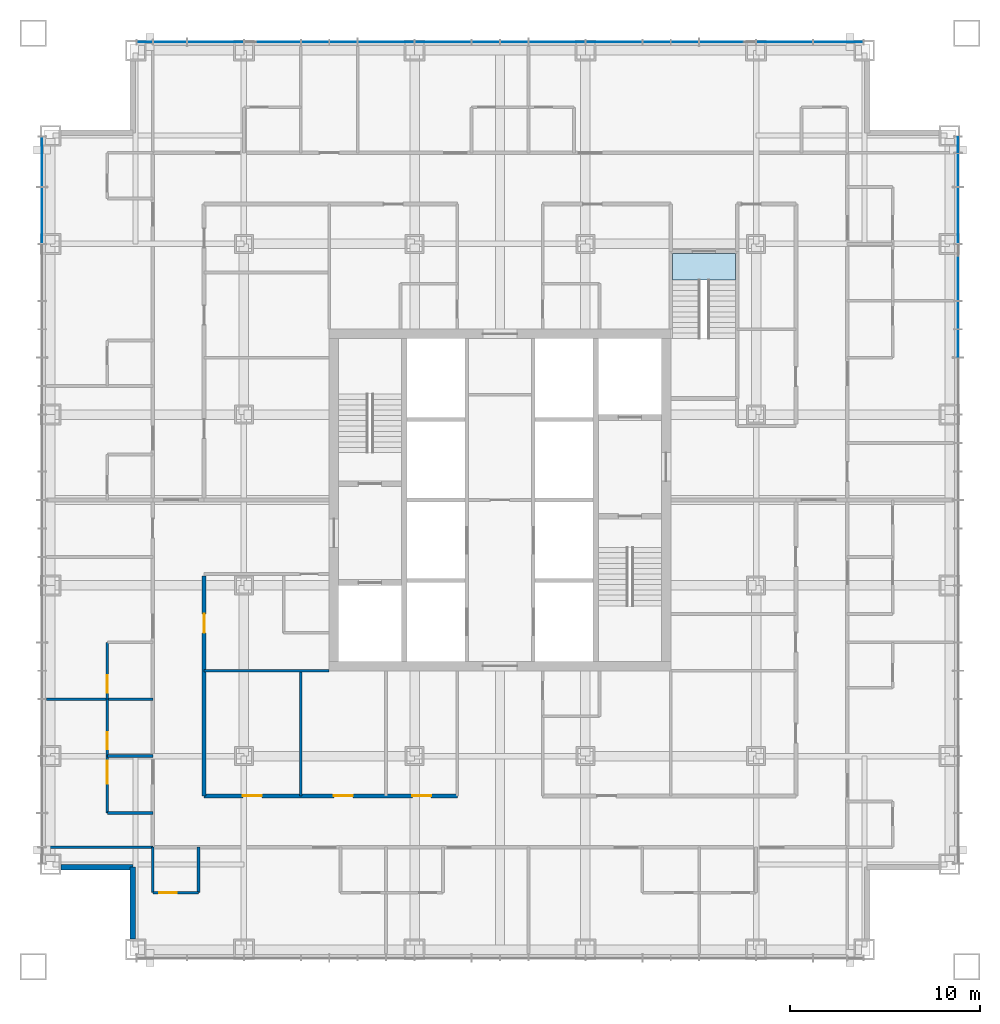
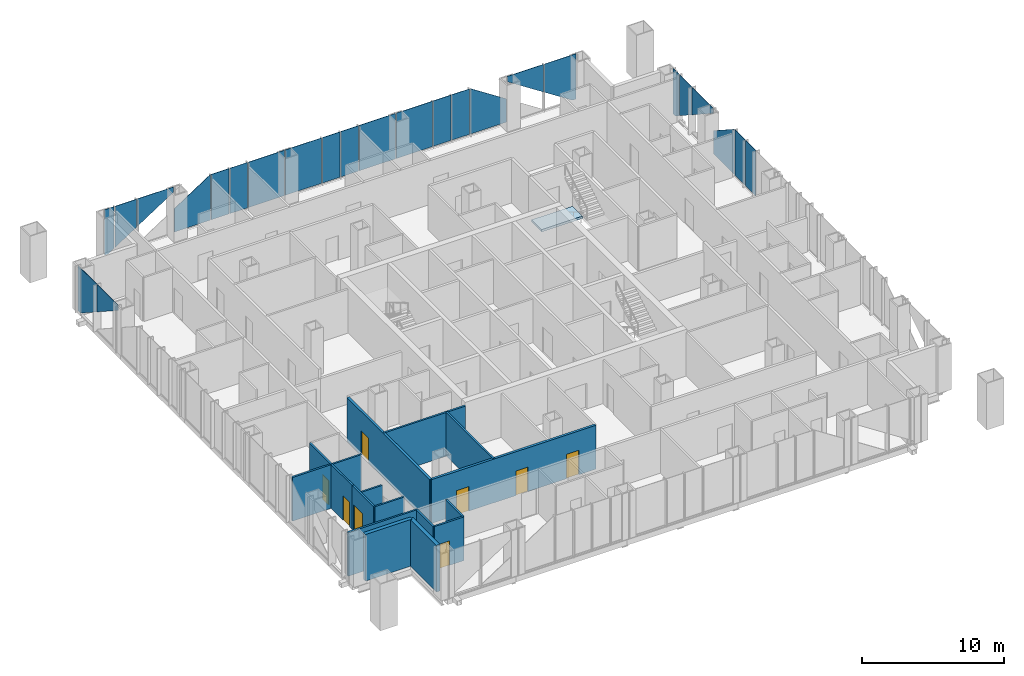
# One storey, part 8 of 16: 25 plates, 16 walls, 8 doors, 1 slab, 8 openings, 4 elements without a shape of their own.
"""IFC4 building model written with IfcOpenShell, lengths in metres."""

import ifcopenshell
import ifcopenshell.guid

model = None  # the IFC model being written
_history = None  # IfcOwnerHistory: only IFC2X3 demands one
_inside = {}  # id of a spatial element -> (the spatial element, [elements in it])
_under = {}  # id of a project, library or spatial element -> (it, [spatial elements below it])
_declared = {}  # id of a project -> (the project, [libraries it declares])
_typed = {}  # id of a type object -> (the type object, [elements of that type])
_made_of = {}  # id of a material, layer set ... -> (it, [elements and type objects made of it])


def new_model(schema):
    """Start an empty IFC model of exactly this schema.

    Asked for "IFC4X3", IfcOpenShell would pick the latest addendum, in which some entities
    have other attributes; the version numbers below select the first issue.
    IFC2X3 requires an IfcOwnerHistory on every rooted entity: one is made here for all.
    """
    global model, _history
    if schema == "IFC4X3":
        model = ifcopenshell.file(schema_version=(4, 3, 0, 0))
    else:
        model = ifcopenshell.file(schema=schema)
    _inside.clear()
    _under.clear()
    _declared.clear()
    _typed.clear()
    _made_of.clear()
    _history = None
    if model.schema == "IFC2X3":
        org = make("IfcOrganization", Name="unknown")
        user = make(
            "IfcPersonAndOrganization",
            ThePerson=make("IfcPerson", FamilyName="unknown"),
            TheOrganization=org,
        )
        app = make(
            "IfcApplication",
            ApplicationDeveloper=org,
            Version="unknown",
            ApplicationFullName="unknown",
            ApplicationIdentifier="unknown",
        )
        _history = make(
            "IfcOwnerHistory",
            OwningUser=user,
            OwningApplication=app,
            ChangeAction="ADDED",
            CreationDate=0,
        )
    return model


def make(cls, **values):
    """One entity of the class cls with the attributes given. An attribute that is None is left unset."""
    return model.create_entity(
        cls, **{name: value for name, value in values.items() if value is not None}
    )


def rooted(cls, **values):
    """An entity with a GlobalId (a new one), such as an element, a storey or a relation."""
    return make(cls, GlobalId=ifcopenshell.guid.new(), OwnerHistory=_history, **values)


def si_unit(unit_type, name, prefix=None):
    """IfcSIUnit, for example si_unit("LENGTHUNIT", "METRE", prefix="MILLI")."""
    return make("IfcSIUnit", UnitType=unit_type, Prefix=prefix, Name=name)


def assignment(units):
    """IfcUnitAssignment: the units of a project."""
    return None if units is None else make("IfcUnitAssignment", Units=units)


def point(xyz):
    """IfcCartesianPoint."""
    return None if xyz is None else make("IfcCartesianPoint", Coordinates=xyz)


def direction(xyz):
    """IfcDirection."""
    return None if xyz is None else make("IfcDirection", DirectionRatios=xyz)


def frame(location, z_axis=None, x_axis=None):
    """IfcAxis2Placement3D, a coordinate frame: its origin and axes. An axis left out is left unset."""
    return make(
        "IfcAxis2Placement3D",
        Location=point(location),
        Axis=direction(z_axis),
        RefDirection=direction(x_axis),
    )


def frame_2d(location, x_axis=None):
    """IfcAxis2Placement2D, a coordinate frame in the plane: its origin and x axis."""
    return make(
        "IfcAxis2Placement2D", Location=point(location), RefDirection=direction(x_axis)
    )


def origin():
    """The frame at (0, 0, 0) with its axes left unset."""
    return frame((0.0, 0.0, 0.0))


def origin_2d():
    """The frame at (0, 0) in the plane with its x axis left unset."""
    return frame_2d((0.0, 0.0))


def place(relative_to, where):
    """IfcLocalPlacement: puts the frame where relative to a parent placement (None: the world)."""
    return make(
        "IfcLocalPlacement", PlacementRelTo=relative_to, RelativePlacement=where
    )


def context(
    kind, dimensions, precision=None, world=None, true_north=None, identifier=None
):
    """IfcGeometricRepresentationContext, for example the 3D "Model" context."""
    return make(
        "IfcGeometricRepresentationContext",
        ContextIdentifier=identifier,
        ContextType=kind,
        CoordinateSpaceDimension=dimensions,
        Precision=precision,
        WorldCoordinateSystem=world,
        TrueNorth=true_north,
    )


def subcontext(parent, identifier, kind, view, scale=None):
    """IfcGeometricRepresentationSubContext, for example "Body" below "Model"."""
    return make(
        "IfcGeometricRepresentationSubContext",
        ContextIdentifier=identifier,
        ContextType=kind,
        ParentContext=parent,
        TargetScale=scale,
        TargetView=view,
    )


def project(units=None, contexts=None):
    """IfcProject with its units and contexts."""
    return rooted(
        "IfcProject",
        Name="project",
        RepresentationContexts=contexts,
        UnitsInContext=assignment(units),
    )


def spatial(cls, under=None, at=None, **own):
    """A site, building, storey or space (cls), placed at a placement, below another one or the project."""
    s = rooted(cls, ObjectPlacement=at, **own)
    if under is not None:
        _under.setdefault(under.id(), (under, []))[1].append(s)
    return s


def polyline(points):
    """IfcPolyline through the points."""
    return make("IfcPolyline", Points=[point(p) for p in points])


def profile(cls, at=None, kind="AREA", **sizes):
    """A parametric profile (cls). Its sizes go by their IFC names, for example OverallWidth=200.0."""
    return make(cls, ProfileType=kind, Position=at, **sizes)


def rectangle(**sizes):
    """IfcRectangleProfileDef."""
    return profile("IfcRectangleProfileDef", **sizes)


def outline(outer, holes=None, kind="AREA"):
    """IfcArbitraryClosedProfileDef: a profile drawn as a closed curve; with holes, ...WithVoids."""
    if holes is None:
        return make("IfcArbitraryClosedProfileDef", ProfileType=kind, OuterCurve=outer)
    return make(
        "IfcArbitraryProfileDefWithVoids",
        ProfileType=kind,
        OuterCurve=outer,
        InnerCurves=holes,
    )


def extrude(swept, where, along, depth):
    """IfcExtrudedAreaSolid: the profile swept, set in the frame where, extruded along a direction by depth."""
    return make(
        "IfcExtrudedAreaSolid",
        SweptArea=swept,
        Position=where,
        ExtrudedDirection=direction(along),
        Depth=depth,
    )


def shape(context_of_items, identifier, shape_type, items):
    """IfcShapeRepresentation: the items that make up one representation, for example the "Body"."""
    return make(
        "IfcShapeRepresentation",
        ContextOfItems=context_of_items,
        RepresentationIdentifier=identifier,
        RepresentationType=shape_type,
        Items=items,
    )


def material(Name=None, Category=None):
    """IfcMaterial."""
    return make("IfcMaterial", Name=Name, Category=Category)


def layer(
    of_material, thickness, ventilated=None, Name=None, Category=None, Priority=None
):
    """IfcMaterialLayer: one layer of a wall or slab, of a material (None: an air gap)."""
    return make(
        "IfcMaterialLayer",
        Material=of_material,
        LayerThickness=thickness,
        IsVentilated=ventilated,
        Name=Name,
        Category=Category,
        Priority=Priority,
    )


def layer_set(layers, Name=None):
    """IfcMaterialLayerSet."""
    return make("IfcMaterialLayerSet", MaterialLayers=layers, LayerSetName=Name)


def made_of(thing, what):
    """Note that an element or type object is made of a material, layer set ...; save() writes the relation."""
    if what is not None:
        _made_of.setdefault(what.id(), (what, []))[1].append(thing)
    return thing


def type_object(cls, material=None, **own):
    """A type object (cls), such as IfcWallType, which elements share."""
    return made_of(rooted(cls, **own), material)


def element(
    cls,
    number,
    at=None,
    inside=None,
    cuts=None,
    type_object=None,
    material=None,
    context=None,
    identifier="Body",
    shape_type=None,
    held_by="IfcProductDefinitionShape",
    body=None,
    shapes=None,
    **own,
):
    """One element of the class cls, such as IfcWall. Its Tag is "e" and its number.

    at: its placement. inside: the storey or other place that contains it. cuts: it is an
    opening in that element (IfcRelVoidsElement). A single representation is given by context,
    identifier, shape_type and body (its items); several are given by shapes. held_by: the class
    of the entity that holds the representations. save() writes the other relations.
    """
    e = rooted(cls, Tag="e%d" % number, ObjectPlacement=at, **own)
    if body is not None:
        shapes = [shape(context, identifier, shape_type, body)]
    if shapes is not None:
        e.Representation = make(held_by, Representations=shapes)
    if inside is not None:
        _inside.setdefault(inside.id(), (inside, []))[1].append(e)
    if cuts is not None:
        rooted(
            "IfcRelVoidsElement", RelatingBuildingElement=cuts, RelatedOpeningElement=e
        )
    if type_object is not None:
        _typed.setdefault(type_object.id(), (type_object, []))[1].append(e)
    return made_of(e, material)


def fill(opening, filler):
    """IfcRelFillsElement: the door or window that sits in an opening."""
    return rooted(
        "IfcRelFillsElement",
        RelatingOpeningElement=opening,
        RelatedBuildingElement=filler,
    )


def aggregate(whole, parts):
    """IfcRelAggregates: a whole, such as a stair, and the parts it consists of."""
    return rooted("IfcRelAggregates", RelatingObject=whole, RelatedObjects=parts)


def save(model, path):
    """Write the relations noted so far, then the file.

    IfcRelAggregates (storeys below a building ...), IfcRelContainedInSpatialStructure (elements
    in a storey), IfcRelDefinesByType, IfcRelAssociatesMaterial and IfcRelDeclares: one each for
    every whole, place, type object, material and project.
    """
    for whole, parts in _under.values():
        aggregate(whole, parts)
    for where, things in _inside.values():
        rooted(
            "IfcRelContainedInSpatialStructure",
            RelatedElements=things,
            RelatingStructure=where,
        )
    for kind, things in _typed.values():
        rooted("IfcRelDefinesByType", RelatedObjects=things, RelatingType=kind)
    for what, things in _made_of.values():
        rooted("IfcRelAssociatesMaterial", RelatedObjects=things, RelatingMaterial=what)
    for by, libraries in _declared.values():
        rooted("IfcRelDeclares", RelatingContext=by, RelatedDefinitions=libraries)
    model.write(path)


model = new_model("IFC4")

# Units and contexts
model_context = context("Model", 3, precision=1e-05, world=origin(), true_north=direction((0.0, 1.0)))
body_context = subcontext(model_context, "Body", "Model", "MODEL_VIEW")
ifc_project = project(units=[si_unit("LENGTHUNIT", "METRE"), si_unit("AREAUNIT", "SQUARE_METRE"), si_unit("VOLUMEUNIT", "CUBIC_METRE"), si_unit("PLANEANGLEUNIT", "RADIAN"), si_unit("MASSUNIT", "GRAM", prefix="KILO")], contexts=[model_context])

# Site, building, storey
site_placement = place(None, origin())
site = spatial("IfcSite", under=ifc_project, at=site_placement, CompositionType="ELEMENT")
building_placement = place(site_placement, origin())
building = spatial("IfcBuilding", under=site, at=building_placement, Name="Malebo Sky Hospital", CompositionType="ELEMENT")
storey_placement = place(building_placement, frame((0.0, 0.0, 144.0)))
storey = spatial("IfcBuildingStorey", under=building, at=storey_placement, Name="L34", CompositionType="ELEMENT", Elevation=144.0)

# Stair, slab
ifc_material_1 = material(Name="Concrete C40/50", Category="concrete")
stair_type = type_object("IfcStairType", Name="HALF-TURN STAIR 1400 R167", PredefinedType="HALF_TURN_STAIR", material=ifc_material_1)
stair_placement = place(storey_placement, origin())
stair = element("IfcStair", 1, at=stair_placement, inside=storey, type_object=stair_type, Name="Stair S3 L34 type ST1B", PredefinedType="HALF_TURN_STAIR")
ifc_layer_1 = layer(ifc_material_1, 0.199951171875)
ifc_layer_set_1 = layer_set([ifc_layer_1], Name="STAIR LANDING 200")
slab_type = type_object("IfcSlabType", Name="STAIR LANDING 200", PredefinedType="LANDING", material=ifc_layer_set_1)
slab_placement = place(storey_placement, frame((0.0, 0.0, -0.199951171875)))
slab = element("IfcSlab", 2, at=slab_placement, type_object=slab_type, Name="S3 landing 1", PredefinedType="LANDING", context=body_context, shape_type="SweptSolid", body=[
    extrude(outline(polyline([(69.10009765625, 73.60009765625), (72.39990234375, 73.60009765625), (72.39990234375, 75.0), (69.10009765625, 75.0), (69.10009765625, 73.60009765625)])), origin(), (0.0, 0.0, 1.0), 0.199951171875),
])
aggregate(stair, [slab])

# Curtain wall, plates
ifc_material_2 = material(Name="Anodised aluminium, natural silver", Category="aluminium")
ifc_layer_2 = layer(ifc_material_2, 0.25)
ifc_layer_set_2 = layer_set([ifc_layer_2], Name="WARD CURTAIN WALL NORTH AND SOUTH")
curtain_wall_type_1 = type_object("IfcCurtainWallType", Name="WARD CURTAIN WALL NORTH AND SOUTH", PredefinedType="NOTDEFINED", material=ifc_layer_set_2)
curtain_wall_1_placement = place(storey_placement, origin())
curtain_wall_1 = element("IfcCurtainWall", 3, at=curtain_wall_1_placement, inside=storey, type_object=curtain_wall_type_1, Name="NS curtain wall N", PredefinedType="NOTDEFINED")
ifc_material_3 = material(Name="Clear low-iron double glazing", Category="glass")
ifc_layer_3 = layer(ifc_material_3, 0.031982421875)
ifc_layer_set_3 = layer_set([ifc_layer_3], Name="VISION PANEL CLEAR 32")
plate_type = type_object("IfcPlateType", Name="VISION PANEL CLEAR 32", PredefinedType="CURTAIN_PANEL", material=ifc_layer_set_3)
plate_1_placement = place(storey_placement, frame((41.268798828125, 86.135009765625, 0.10009765625), z_axis=(0.0, 0.0, 1.0), x_axis=(1.0, 0.0, 0.0)))
plate_1 = element("IfcPlate", 4, at=plate_1_placement, type_object=plate_type, Name="Panel 1", PredefinedType="CURTAIN_PANEL", context=body_context, shape_type="SweptSolid", body=[
    extrude(outline(polyline([(-0.393798828125, 0.0), (-0.097412109375, 0.0), (0.393798828125, 0.319580078125), (0.393798828125, 3.889892578125), (-0.393798828125, 3.889892578125), (-0.393798828125, 0.0)])), frame((0.0, 0.01611328125, 0.0), z_axis=(0.0, -1.0, 0.0), x_axis=(1.0, 0.0, 0.0)), (0.0, 0.0, 1.0), 0.031982421875),
])
plate_2_placement = place(storey_placement, frame((42.60009765625, 86.135009765625, 0.46826171875), z_axis=(0.0, 0.0, 1.0), x_axis=(1.0, 0.0, 0.0)))
plate_2 = element("IfcPlate", 5, at=plate_2_placement, type_object=plate_type, Name="Panel 2", PredefinedType="CURTAIN_PANEL", context=body_context, shape_type="SweptSolid", body=[
    extrude(outline(polyline([(-0.862548828125, 0.0), (0.862548828125, 1.121826171875), (0.862548828125, 3.521728515625), (-0.862548828125, 3.521728515625), (-0.862548828125, 0.0)])), frame((0.0, 0.01611328125, 0.0), z_axis=(0.0, -1.0, 0.0), x_axis=(1.0, 0.0, 0.0)), (0.0, 0.0, 1.0), 0.031982421875),
])
plate_3_placement = place(storey_placement, frame((45.0, 86.135009765625, 1.638916015625), z_axis=(0.0, 0.0, 1.0), x_axis=(1.0, 0.0, 0.0)))
plate_3 = element("IfcPlate", 6, at=plate_3_placement, type_object=plate_type, Name="Panel 3", PredefinedType="CURTAIN_PANEL", context=body_context, shape_type="SweptSolid", body=[
    extrude(outline(polyline([(-1.46240234375, 0.0), (1.46240234375, 1.90234375), (1.46240234375, 2.35107421875), (-1.46240234375, 2.35107421875), (-1.46240234375, 0.0)])), frame((0.0, 0.01611328125, 0.0), z_axis=(0.0, -1.0, 0.0), x_axis=(1.0, 0.0, 0.0)), (0.0, 0.0, 1.0), 0.031982421875),
])
plate_4_placement = place(storey_placement, frame((48.0, 86.135009765625, 0.10009765625), z_axis=(0.0, 0.0, 1.0), x_axis=(1.0, 0.0, 0.0)))
plate_4 = element("IfcPlate", 7, at=plate_4_placement, type_object=plate_type, Name="Panel 4", PredefinedType="CURTAIN_PANEL", context=body_context, shape_type="SweptSolid", body=[
    extrude(outline(polyline([(-1.46240234375, 0.0), (1.46240234375, 0.0), (1.46240234375, 3.889892578125), (1.44677734375, 3.889892578125), (-1.46240234375, 1.997802734375), (-1.46240234375, 0.0)])), frame((0.0, 0.01611328125, 0.0), z_axis=(0.0, -1.0, 0.0), x_axis=(1.0, 0.0, 0.0)), (0.0, 0.0, 1.0), 0.031982421875),
])
plate_5_placement = place(storey_placement, frame((50.25, 86.135009765625, 0.10009765625), z_axis=(0.0, 0.0, 1.0), x_axis=(1.0, 0.0, 0.0)))
plate_5 = element("IfcPlate", 8, at=plate_5_placement, type_object=plate_type, Name="Panel 5", PredefinedType="CURTAIN_PANEL", context=body_context, shape_type="SweptSolid", body=[
    extrude(rectangle(XDim=1.425048828125, YDim=0.031982421875, at=origin_2d()), origin(), (0.0, 0.0, 1.0), 3.889892578125),
])
plate_6_placement = place(storey_placement, frame((51.75, 86.135009765625, 0.10009765625), z_axis=(0.0, 0.0, 1.0), x_axis=(1.0, 0.0, 0.0)))
plate_6 = element("IfcPlate", 9, at=plate_6_placement, type_object=plate_type, Name="Panel 6", PredefinedType="CURTAIN_PANEL", context=body_context, shape_type="SweptSolid", body=[
    extrude(rectangle(XDim=1.425048828125, YDim=0.031982421875, at=origin_2d()), origin(), (0.0, 0.0, 1.0), 3.889892578125),
])
plate_7_placement = place(storey_placement, frame((54.0, 86.135009765625, 0.10009765625), z_axis=(0.0, 0.0, 1.0), x_axis=(1.0, 0.0, 0.0)))
plate_7 = element("IfcPlate", 10, at=plate_7_placement, type_object=plate_type, Name="Panel 7", PredefinedType="CURTAIN_PANEL", context=body_context, shape_type="SweptSolid", body=[
    extrude(rectangle(XDim=2.925048828125, YDim=0.031982421875, at=origin_2d()), origin(), (0.0, 0.0, 1.0), 3.889892578125),
])
plate_8_placement = place(storey_placement, frame((57.0, 86.135009765625, 0.10009765625), z_axis=(0.0, 0.0, 1.0), x_axis=(1.0, 0.0, 0.0)))
plate_8 = element("IfcPlate", 11, at=plate_8_placement, type_object=plate_type, Name="Panel 8", PredefinedType="CURTAIN_PANEL", context=body_context, shape_type="SweptSolid", body=[
    extrude(rectangle(XDim=2.925048828125, YDim=0.031982421875, at=origin_2d()), origin(), (0.0, 0.0, 1.0), 3.889892578125),
])
plate_9_placement = place(storey_placement, frame((59.25, 86.135009765625, 0.10009765625), z_axis=(0.0, 0.0, 1.0), x_axis=(1.0, 0.0, 0.0)))
plate_9 = element("IfcPlate", 12, at=plate_9_placement, type_object=plate_type, Name="Panel 9", PredefinedType="CURTAIN_PANEL", context=body_context, shape_type="SweptSolid", body=[
    extrude(rectangle(XDim=1.425048828125, YDim=0.031982421875, at=origin_2d()), origin(), (0.0, 0.0, 1.0), 3.889892578125),
])
plate_10_placement = place(storey_placement, frame((60.75, 86.135009765625, 0.10009765625), z_axis=(0.0, 0.0, 1.0), x_axis=(1.0, 0.0, 0.0)))
plate_10 = element("IfcPlate", 13, at=plate_10_placement, type_object=plate_type, Name="Panel 10", PredefinedType="CURTAIN_PANEL", context=body_context, shape_type="SweptSolid", body=[
    extrude(rectangle(XDim=1.425048828125, YDim=0.031982421875, at=origin_2d()), origin(), (0.0, 0.0, 1.0), 3.889892578125),
])
plate_11_placement = place(storey_placement, frame((63.0, 86.135009765625, 0.10009765625), z_axis=(0.0, 0.0, 1.0), x_axis=(1.0, 0.0, 0.0)))
plate_11 = element("IfcPlate", 14, at=plate_11_placement, type_object=plate_type, Name="Panel 11", PredefinedType="CURTAIN_PANEL", context=body_context, shape_type="SweptSolid", body=[
    extrude(rectangle(XDim=2.925048828125, YDim=0.031982421875, at=origin_2d()), origin(), (0.0, 0.0, 1.0), 3.889892578125),
])
plate_12_placement = place(storey_placement, frame((66.0, 86.135009765625, 0.10009765625), z_axis=(0.0, 0.0, 1.0), x_axis=(1.0, 0.0, 0.0)))
plate_12 = element("IfcPlate", 15, at=plate_12_placement, type_object=plate_type, Name="Panel 12", PredefinedType="CURTAIN_PANEL", context=body_context, shape_type="SweptSolid", body=[
    extrude(rectangle(XDim=2.925048828125, YDim=0.031982421875, at=origin_2d()), origin(), (0.0, 0.0, 1.0), 3.889892578125),
])
plate_13_placement = place(storey_placement, frame((68.25, 86.135009765625, 0.10009765625), z_axis=(0.0, 0.0, 1.0), x_axis=(1.0, 0.0, 0.0)))
plate_13 = element("IfcPlate", 16, at=plate_13_placement, type_object=plate_type, Name="Panel 13", PredefinedType="CURTAIN_PANEL", context=body_context, shape_type="SweptSolid", body=[
    extrude(rectangle(XDim=1.425048828125, YDim=0.031982421875, at=origin_2d()), origin(), (0.0, 0.0, 1.0), 3.889892578125),
])
plate_14_placement = place(storey_placement, frame((69.75, 86.135009765625, 0.10009765625), z_axis=(0.0, 0.0, 1.0), x_axis=(1.0, 0.0, 0.0)))
plate_14 = element("IfcPlate", 17, at=plate_14_placement, type_object=plate_type, Name="Panel 14", PredefinedType="CURTAIN_PANEL", context=body_context, shape_type="SweptSolid", body=[
    extrude(rectangle(XDim=1.425048828125, YDim=0.031982421875, at=origin_2d()), origin(), (0.0, 0.0, 1.0), 3.889892578125),
])
plate_15_placement = place(storey_placement, frame((72.0, 86.135009765625, 0.10009765625), z_axis=(0.0, 0.0, 1.0), x_axis=(1.0, 0.0, 0.0)))
plate_15 = element("IfcPlate", 18, at=plate_15_placement, type_object=plate_type, Name="Panel 15", PredefinedType="CURTAIN_PANEL", context=body_context, shape_type="SweptSolid", body=[
    extrude(outline(polyline([(-1.46240234375, 0.0), (1.46240234375, 0.0), (1.46240234375, 1.997802734375), (-1.44677734375, 3.889892578125), (-1.46240234375, 3.889892578125), (-1.46240234375, 0.0)])), frame((0.0, 0.01611328125, 0.0), z_axis=(0.0, -1.0, 0.0), x_axis=(1.0, 0.0, 0.0)), (0.0, 0.0, 1.0), 0.031982421875),
])
plate_16_placement = place(storey_placement, frame((75.0, 86.135009765625, 1.638916015625), z_axis=(0.0, 0.0, 1.0), x_axis=(1.0, 0.0, 0.0)))
plate_16 = element("IfcPlate", 19, at=plate_16_placement, type_object=plate_type, Name="Panel 16", PredefinedType="CURTAIN_PANEL", context=body_context, shape_type="SweptSolid", body=[
    extrude(outline(polyline([(1.46240234375, 0.0), (1.46240234375, 2.35107421875), (-1.46240234375, 2.35107421875), (-1.46240234375, 1.90234375), (1.46240234375, 0.0)])), frame((0.0, 0.01611328125, 0.0), z_axis=(0.0, -1.0, 0.0), x_axis=(1.0, 0.0, 0.0)), (0.0, 0.0, 1.0), 0.031982421875),
])
plate_17_placement = place(storey_placement, frame((77.831298828125, 86.135009765625, 0.10009765625), z_axis=(0.0, 0.0, 1.0), x_axis=(1.0, 0.0, 0.0)))
plate_17 = element("IfcPlate", 20, at=plate_17_placement, type_object=plate_type, Name="Panel 17", PredefinedType="CURTAIN_PANEL", context=body_context, shape_type="SweptSolid", body=[
    extrude(outline(polyline([(0.99755859375, 0.0), (1.293701171875, 0.0), (1.293701171875, 3.889892578125), (-1.293701171875, 3.889892578125), (-1.293701171875, 1.490234375), (0.99755859375, 0.0)])), frame((0.0, 0.01611328125, 0.0), z_axis=(0.0, -1.0, 0.0), x_axis=(1.0, 0.0, 0.0)), (0.0, 0.0, 1.0), 0.031982421875),
])
aggregate(curtain_wall_1, [plate_1, plate_2, plate_3, plate_4, plate_5, plate_6, plate_7, plate_8, plate_9, plate_10, plate_11, plate_12, plate_13, plate_14, plate_15, plate_16, plate_17])

ifc_layer_4 = layer(ifc_material_2, 0.25)
ifc_layer_set_4 = layer_set([ifc_layer_4], Name="WARD CURTAIN WALL EAST AND WEST")
curtain_wall_type_2 = type_object("IfcCurtainWallType", Name="WARD CURTAIN WALL EAST AND WEST", PredefinedType="NOTDEFINED", material=ifc_layer_set_4)
curtain_wall_2_placement = place(storey_placement, origin())
curtain_wall_2 = element("IfcCurtainWall", 21, at=curtain_wall_2_placement, inside=storey, type_object=curtain_wall_type_2, Name="EW curtain wall W", PredefinedType="NOTDEFINED")
plate_18_placement = place(storey_placement, frame((35.864990234375, 77.0, 1.638916015625), z_axis=(0.0, 0.0, 1.0), x_axis=(0.0, 1.0, 0.0)))
plate_18 = element("IfcPlate", 22, at=plate_18_placement, type_object=plate_type, Name="Panel 18", PredefinedType="CURTAIN_PANEL", context=body_context, shape_type="SweptSolid", body=[
    extrude(outline(polyline([(1.46240234375, 0.0), (1.46240234375, 2.35107421875), (-1.46240234375, 2.35107421875), (-1.46240234375, 1.90234375), (1.46240234375, 0.0)])), frame((0.0, 0.01611328125, 0.0), z_axis=(0.0, -1.0, 0.0), x_axis=(1.0, 0.0, 0.0)), (0.0, 0.0, 1.0), 0.031982421875),
])
plate_19_placement = place(storey_placement, frame((35.864990234375, 79.831298828125, 0.10009765625), z_axis=(0.0, 0.0, 1.0), x_axis=(0.0, 1.0, 0.0)))
plate_19 = element("IfcPlate", 23, at=plate_19_placement, type_object=plate_type, Name="Panel 19", PredefinedType="CURTAIN_PANEL", context=body_context, shape_type="SweptSolid", body=[
    extrude(outline(polyline([(0.99755859375, 0.0), (1.293701171875, 0.0), (1.293701171875, 3.889892578125), (-1.293701171875, 3.889892578125), (-1.293701171875, 1.490234375), (0.99755859375, 0.0)])), frame((0.0, 0.01611328125, 0.0), z_axis=(0.0, -1.0, 0.0), x_axis=(1.0, 0.0, 0.0)), (0.0, 0.0, 1.0), 0.031982421875),
])
aggregate(curtain_wall_2, [plate_18, plate_19])

curtain_wall_3_placement = place(storey_placement, origin())
curtain_wall_3 = element("IfcCurtainWall", 24, at=curtain_wall_3_placement, inside=storey, type_object=curtain_wall_type_2, Name="EW curtain wall E", PredefinedType="NOTDEFINED")
plate_20_placement = place(storey_placement, frame((84.135009765625, 80.731201171875, 0.10009765625), z_axis=(0.0, 0.0, 1.0), x_axis=(0.0, -1.0, 0.0)))
plate_20 = element("IfcPlate", 25, at=plate_20_placement, type_object=plate_type, Name="Panel 1", PredefinedType="CURTAIN_PANEL", context=body_context, shape_type="SweptSolid", body=[
    extrude(outline(polyline([(-0.393798828125, 0.0), (-0.097412109375, 0.0), (0.393798828125, 0.319580078125), (0.393798828125, 3.889892578125), (-0.393798828125, 3.889892578125), (-0.393798828125, 0.0)])), frame((0.0, 0.01611328125, 0.0), z_axis=(0.0, -1.0, 0.0), x_axis=(1.0, 0.0, 0.0)), (0.0, 0.0, 1.0), 0.031982421875),
])
plate_21_placement = place(storey_placement, frame((84.135009765625, 79.39990234375, 0.46826171875), z_axis=(0.0, 0.0, 1.0), x_axis=(0.0, -1.0, 0.0)))
plate_21 = element("IfcPlate", 26, at=plate_21_placement, type_object=plate_type, Name="Panel 2", PredefinedType="CURTAIN_PANEL", context=body_context, shape_type="SweptSolid", body=[
    extrude(outline(polyline([(-0.862548828125, 0.0), (0.862548828125, 1.121826171875), (0.862548828125, 3.521728515625), (-0.862548828125, 3.521728515625), (-0.862548828125, 0.0)])), frame((0.0, 0.01611328125, 0.0), z_axis=(0.0, -1.0, 0.0), x_axis=(1.0, 0.0, 0.0)), (0.0, 0.0, 1.0), 0.031982421875),
])
plate_22_placement = place(storey_placement, frame((84.135009765625, 77.0, 1.638916015625), z_axis=(0.0, 0.0, 1.0), x_axis=(0.0, -1.0, 0.0)))
plate_22 = element("IfcPlate", 27, at=plate_22_placement, type_object=plate_type, Name="Panel 3", PredefinedType="CURTAIN_PANEL", context=body_context, shape_type="SweptSolid", body=[
    extrude(outline(polyline([(-1.46240234375, 0.0), (1.46240234375, 1.90234375), (1.46240234375, 2.35107421875), (-1.46240234375, 2.35107421875), (-1.46240234375, 0.0)])), frame((0.0, 0.01611328125, 0.0), z_axis=(0.0, -1.0, 0.0), x_axis=(1.0, 0.0, 0.0)), (0.0, 0.0, 1.0), 0.031982421875),
])
plate_23_placement = place(storey_placement, frame((84.135009765625, 74.0, 0.10009765625), z_axis=(0.0, 0.0, 1.0), x_axis=(0.0, -1.0, 0.0)))
plate_23 = element("IfcPlate", 28, at=plate_23_placement, type_object=plate_type, Name="Panel 4", PredefinedType="CURTAIN_PANEL", context=body_context, shape_type="SweptSolid", body=[
    extrude(outline(polyline([(-1.46240234375, 0.0), (1.46240234375, 0.0), (1.46240234375, 3.889892578125), (1.44677734375, 3.889892578125), (-1.46240234375, 1.997802734375), (-1.46240234375, 0.0)])), frame((0.0, 0.01611328125, 0.0), z_axis=(0.0, -1.0, 0.0), x_axis=(1.0, 0.0, 0.0)), (0.0, 0.0, 1.0), 0.031982421875),
])
plate_24_placement = place(storey_placement, frame((84.135009765625, 71.75, 0.10009765625), z_axis=(0.0, 0.0, 1.0), x_axis=(0.0, -1.0, 0.0)))
plate_24 = element("IfcPlate", 29, at=plate_24_placement, type_object=plate_type, Name="Panel 5", PredefinedType="CURTAIN_PANEL", context=body_context, shape_type="SweptSolid", body=[
    extrude(rectangle(XDim=1.425048828125, YDim=0.031982421875, at=origin_2d()), origin(), (0.0, 0.0, 1.0), 3.889892578125),
])
plate_25_placement = place(storey_placement, frame((84.135009765625, 70.25, 0.10009765625), z_axis=(0.0, 0.0, 1.0), x_axis=(0.0, -1.0, 0.0)))
plate_25 = element("IfcPlate", 30, at=plate_25_placement, type_object=plate_type, Name="Panel 6", PredefinedType="CURTAIN_PANEL", context=body_context, shape_type="SweptSolid", body=[
    extrude(rectangle(XDim=1.425048828125, YDim=0.031982421875, at=origin_2d()), origin(), (0.0, 0.0, 1.0), 3.889892578125),
])
aggregate(curtain_wall_3, [plate_20, plate_21, plate_22, plate_23, plate_24, plate_25])

# Wall, opening, door
ifc_material_4 = material(Name="Gypsum board on steel studs", Category="steel")
ifc_layer_5 = layer(ifc_material_4, 0.199951171875)
ifc_layer_set_5 = layer_set([ifc_layer_5], Name="CORRIDOR WALL 200")
wall_type_1 = type_object("IfcWallType", Name="CORRIDOR WALL 200", PredefinedType="PARTITIONING", material=ifc_layer_set_5)
wall_1_placement = place(storey_placement, frame((44.39990234375, 46.39990234375, 0.0), z_axis=(0.0, 0.0, 1.0), x_axis=(0.0, 1.0, 0.0)))
wall_1 = element("IfcWall", 31, at=wall_1_placement, inside=storey, type_object=wall_type_1, Name="Corridor Wall 200 WCI1", PredefinedType="PARTITIONING", context=body_context, shape_type="SweptSolid", body=[
    extrude(rectangle(XDim=11.60009765625, YDim=0.199951171875, at=frame_2d((5.800048828125, 0.0))), origin(), (0.0, 0.0, 1.0), 3.75),
])
opening_1_placement = place(wall_1_placement, frame((8.60009765625, 0.0, 0.0)))
opening_1 = element("IfcOpeningElement", 32, at=opening_1_placement, cuts=wall_1, Name="Opening D03", PredefinedType="OPENING", context=body_context, shape_type="SweptSolid", body=[
    extrude(rectangle(XDim=1.0, YDim=2.10009765625, at=frame_2d((0.5, 1.050048828125))), frame((0.0, 0.10986328125, 0.0), z_axis=(0.0, -1.0, 0.0), x_axis=(1.0, 0.0, 0.0)), (0.0, 0.0, 1.0), 0.219970703125),
])
ifc_material_5 = material(Name="Hardwood-faced door leaf in steel frame", Category="steel")
door_type_1 = type_object("IfcDoorType", Name="ROOM DOOR 1000", OperationType="SINGLE_SWING_LEFT", PredefinedType="DOOR", material=ifc_material_5)
door_1_placement = place(opening_1_placement, origin())
door_1 = element("IfcDoor", 33, at=door_1_placement, inside=storey, type_object=door_type_1, Name="Ward office door", OperationType="SINGLE_SWING_LEFT", OverallHeight=2.10009765625, OverallWidth=1.0, PredefinedType="DOOR", context=body_context, shape_type="SweptSolid", body=[
    extrude(rectangle(XDim=1.0, YDim=2.10009765625, at=frame_2d((0.5, 1.050048828125))), frame((0.0, 0.02490234375, 0.0), z_axis=(0.0, -1.0, 0.0), x_axis=(1.0, 0.0, 0.0)), (0.0, 0.0, 1.0), 0.050048828125),
])
fill(opening_1, door_1)

# Wall, openings, doors
wall_2_placement = place(storey_placement, frame((57.75, 46.39990234375, 0.0), z_axis=(0.0, 0.0, 1.0), x_axis=(-1.0, 0.0, 0.0)))
wall_2 = element("IfcWall", 34, at=wall_2_placement, inside=storey, type_object=wall_type_1, Name="Corridor Wall 200 SCI2", PredefinedType="PARTITIONING", context=body_context, shape_type="SweptSolid", body=[
    extrude(rectangle(XDim=13.35009765625, YDim=0.199951171875, at=frame_2d((6.675048828125, 0.0))), origin(), (0.0, 0.0, 1.0), 3.75),
])
opening_2_placement = place(wall_2_placement, frame((1.375, 0.0, 0.0)))
opening_2 = element("IfcOpeningElement", 35, at=opening_2_placement, cuts=wall_2, Name="Opening D03", PredefinedType="OPENING", context=body_context, shape_type="SweptSolid", body=[
    extrude(rectangle(XDim=1.0, YDim=2.10009765625, at=frame_2d((0.5, 1.050048828125))), frame((0.0, 0.10986328125, 0.0), z_axis=(0.0, -1.0, 0.0), x_axis=(1.0, 0.0, 0.0)), (0.0, 0.0, 1.0), 0.219970703125),
])
opening_3_placement = place(wall_2_placement, frame((5.5, 0.0, 0.0)))
opening_3 = element("IfcOpeningElement", 36, at=opening_3_placement, cuts=wall_2, Name="Opening D03", PredefinedType="OPENING", context=body_context, shape_type="SweptSolid", body=[
    extrude(rectangle(XDim=1.0, YDim=2.10009765625, at=frame_2d((0.5, 1.050048828125))), frame((0.0, 0.10986328125, 0.0), z_axis=(0.0, -1.0, 0.0), x_axis=(1.0, 0.0, 0.0)), (0.0, 0.0, 1.0), 0.219970703125),
])
opening_4_placement = place(wall_2_placement, frame((10.300048828125, 0.0, 0.0)))
opening_4 = element("IfcOpeningElement", 37, at=opening_4_placement, cuts=wall_2, Name="Opening D03", PredefinedType="OPENING", context=body_context, shape_type="SweptSolid", body=[
    extrude(rectangle(XDim=1.0, YDim=2.10009765625, at=frame_2d((0.5, 1.050048828125))), frame((0.0, 0.10986328125, 0.0), z_axis=(0.0, -1.0, 0.0), x_axis=(1.0, 0.0, 0.0)), (0.0, 0.0, 1.0), 0.219970703125),
])
door_2_placement = place(opening_2_placement, origin())
door_2 = element("IfcDoor", 38, at=door_2_placement, inside=storey, type_object=door_type_1, Name="Equipment store door", OperationType="SINGLE_SWING_LEFT", OverallHeight=2.10009765625, OverallWidth=1.0, PredefinedType="DOOR", context=body_context, shape_type="SweptSolid", body=[
    extrude(rectangle(XDim=1.0, YDim=2.10009765625, at=frame_2d((0.5, 1.050048828125))), frame((0.0, 0.02490234375, 0.0), z_axis=(0.0, -1.0, 0.0), x_axis=(1.0, 0.0, 0.0)), (0.0, 0.0, 1.0), 0.050048828125),
])
fill(opening_2, door_2)
door_3_placement = place(opening_3_placement, origin())
door_3 = element("IfcDoor", 39, at=door_3_placement, inside=storey, type_object=door_type_1, Name="Clean utility room door", OperationType="SINGLE_SWING_LEFT", OverallHeight=2.10009765625, OverallWidth=1.0, PredefinedType="DOOR", context=body_context, shape_type="SweptSolid", body=[
    extrude(rectangle(XDim=1.0, YDim=2.10009765625, at=frame_2d((0.5, 1.050048828125))), frame((0.0, 0.02490234375, 0.0), z_axis=(0.0, -1.0, 0.0), x_axis=(1.0, 0.0, 0.0)), (0.0, 0.0, 1.0), 0.050048828125),
])
fill(opening_3, door_3)
door_4_placement = place(opening_4_placement, origin())
door_4 = element("IfcDoor", 40, at=door_4_placement, inside=storey, type_object=door_type_1, Name="Seminar room door", OperationType="SINGLE_SWING_RIGHT", OverallHeight=2.10009765625, OverallWidth=1.0, PredefinedType="DOOR", context=body_context, shape_type="SweptSolid", body=[
    extrude(rectangle(XDim=1.0, YDim=2.10009765625, at=frame_2d((0.5, 1.050048828125))), frame((0.0, 0.02490234375, 0.0), z_axis=(0.0, -1.0, 0.0), x_axis=(1.0, 0.0, 0.0)), (0.0, 0.0, 1.0), 0.050048828125),
])
fill(opening_4, door_4)

# Walls
ifc_material_6 = material(Name="Anodised aluminium rainscreen on steel framing", Category="steel")
ifc_layer_6 = layer(ifc_material_6, 0.300048828125)
ifc_layer_set_6 = layer_set([ifc_layer_6], Name="NOTCH RAINSCREEN WALL 300")
wall_type_2 = type_object("IfcWallType", Name="NOTCH RAINSCREEN WALL 300", PredefinedType="ELEMENTEDWALL", material=ifc_layer_set_6)
for number, where, z_axis, x_axis, name in (
    (41, (40.64990234375, 38.85009765625, 0.0), (0.0, 0.0, 1.0), (0.0, 1.0, 0.0), "Notch rainscreen wall S1 L34"),
    (42, (40.64990234375, 42.64990234375, 0.0), (0.0, 0.0, 1.0), (-1.0, 0.0, 0.0), "Notch rainscreen wall S2 L34"),
):
    element("IfcWall", number, at=place(storey_placement, frame(where, z_axis=z_axis, x_axis=x_axis)), inside=storey, type_object=wall_type_2, Name=name, PredefinedType="ELEMENTEDWALL", context=body_context, shape_type="SweptSolid", body=[
        extrude(rectangle(XDim=3.7998046875, YDim=0.300048828125, at=frame_2d((1.89990234375, 0.0))), origin(), (0.0, 0.0, 1.0), 4.0),
    ])
ifc_layer_7 = layer(ifc_material_4, 0.14990234375)
ifc_layer_set_7 = layer_set([ifc_layer_7], Name="PARTITION 150")
wall_type_3 = type_object("IfcWallType", Name="PARTITION 150", PredefinedType="PARTITIONING", material=ifc_layer_set_7)
for number, where, z_axis, x_axis, name in (
    (43, (41.699951171875, 51.5, 0.0), (0.0, 0.0, 1.0), (-1.0, 0.0, 0.0), "Partition 150 WP-10.5"),
    (44, (41.699951171875, 43.699951171875, 0.0), (0.0, 0.0, 1.0), (-1.0, 0.0, 0.0), "Partition 150 WP0"),
):
    element("IfcWall", number, at=place(storey_placement, frame(where, z_axis=z_axis, x_axis=x_axis)), inside=storey, type_object=wall_type_3, Name=name, PredefinedType="PARTITIONING", context=body_context, shape_type="SweptSolid", body=[
        extrude(rectangle(XDim=5.60986328125, YDim=0.14990234375, at=frame_2d((2.804931640625, 0.0))), origin(), (0.0, 0.0, 1.0), 3.75),
    ])

# Wall, opening, door
wall_3_placement = place(storey_placement, frame((39.300048828125, 48.5, 0.0), z_axis=(0.0, 0.0, 1.0), x_axis=(0.0, 1.0, 0.0)))
wall_3 = element("IfcWall", 45, at=wall_3_placement, inside=storey, type_object=wall_type_3, Name="Partition 150 WE0F", PredefinedType="PARTITIONING", context=body_context, shape_type="SweptSolid", body=[
    extrude(rectangle(XDim=3.0, YDim=0.14990234375, at=frame_2d((1.5, 0.0))), origin(), (0.0, 0.0, 1.0), 3.75),
])
opening_5_placement = place(wall_3_placement, frame((0.35009765625, 0.0, 0.0)))
opening_5 = element("IfcOpeningElement", 46, at=opening_5_placement, cuts=wall_3, Name="Opening D02", PredefinedType="OPENING", context=body_context, shape_type="SweptSolid", body=[
    extrude(rectangle(XDim=0.89990234375, YDim=2.10009765625, at=frame_2d((0.449951171875, 1.050048828125))), frame((0.0, 0.0849609375, 0.0), z_axis=(0.0, -1.0, 0.0), x_axis=(1.0, 0.0, 0.0)), (0.0, 0.0, 1.0), 0.169921875),
])
door_type_2 = type_object("IfcDoorType", Name="EN-SUITE DOOR 900", OperationType="SINGLE_SWING_LEFT", PredefinedType="DOOR", material=ifc_material_5)
door_5_placement = place(opening_5_placement, origin())
door_5 = element("IfcDoor", 47, at=door_5_placement, inside=storey, type_object=door_type_2, Name="En-suite door", OperationType="SINGLE_SWING_LEFT", OverallHeight=2.10009765625, OverallWidth=0.89990234375, PredefinedType="DOOR", context=body_context, shape_type="SweptSolid", body=[
    extrude(rectangle(XDim=0.89990234375, YDim=2.10009765625, at=frame_2d((0.449951171875, 1.050048828125))), frame((0.0, 0.02490234375, 0.0), z_axis=(0.0, -1.0, 0.0), x_axis=(1.0, 0.0, 0.0)), (0.0, 0.0, 1.0), 0.050048828125),
])
fill(opening_5, door_5)

# Wall
wall_4_placement = place(storey_placement, frame((41.699951171875, 48.5, 0.0), z_axis=(0.0, 0.0, 1.0), x_axis=(-1.0, 0.0, 0.0)))
element("IfcWall", 48, at=wall_4_placement, inside=storey, type_object=wall_type_3, Name="Partition 150 WE0S", PredefinedType="PARTITIONING", context=body_context, shape_type="SweptSolid", body=[
    extrude(rectangle(XDim=2.39990234375, YDim=0.14990234375, at=frame_2d((1.199951171875, 0.0))), origin(), (0.0, 0.0, 1.0), 2.949951171875),
])

# Wall, opening, door
wall_5_placement = place(storey_placement, frame((39.300048828125, 51.5, 0.0), z_axis=(0.0, 0.0, 1.0), x_axis=(0.0, 1.0, 0.0)))
wall_5 = element("IfcWall", 49, at=wall_5_placement, inside=storey, type_object=wall_type_3, Name="Partition 150 WE1F", PredefinedType="PARTITIONING", context=body_context, shape_type="SweptSolid", body=[
    extrude(rectangle(XDim=3.0, YDim=0.14990234375, at=frame_2d((1.5, 0.0))), origin(), (0.0, 0.0, 1.0), 3.75),
])
opening_6_placement = place(wall_5_placement, frame((0.35009765625, 0.0, 0.0)))
opening_6 = element("IfcOpeningElement", 50, at=opening_6_placement, cuts=wall_5, Name="Opening D02", PredefinedType="OPENING", context=body_context, shape_type="SweptSolid", body=[
    extrude(rectangle(XDim=0.89990234375, YDim=2.10009765625, at=frame_2d((0.449951171875, 1.050048828125))), frame((0.0, 0.0849609375, 0.0), z_axis=(0.0, -1.0, 0.0), x_axis=(1.0, 0.0, 0.0)), (0.0, 0.0, 1.0), 0.169921875),
])
door_6_placement = place(opening_6_placement, origin())
door_6 = element("IfcDoor", 51, at=door_6_placement, inside=storey, type_object=door_type_2, Name="En-suite door", OperationType="SINGLE_SWING_LEFT", OverallHeight=2.10009765625, OverallWidth=0.89990234375, PredefinedType="DOOR", context=body_context, shape_type="SweptSolid", body=[
    extrude(rectangle(XDim=0.89990234375, YDim=2.10009765625, at=frame_2d((0.449951171875, 1.050048828125))), frame((0.0, 0.02490234375, 0.0), z_axis=(0.0, -1.0, 0.0), x_axis=(1.0, 0.0, 0.0)), (0.0, 0.0, 1.0), 0.050048828125),
])
fill(opening_6, door_6)

# Wall
wall_6_placement = place(storey_placement, frame((51.0, 53.0, 0.0), z_axis=(0.0, 0.0, 1.0), x_axis=(-1.0, 0.0, 0.0)))
element("IfcWall", 52, at=wall_6_placement, inside=storey, type_object=wall_type_3, Name="Partition 150 WSP0", PredefinedType="PARTITIONING", context=body_context, shape_type="SweptSolid", body=[
    extrude(rectangle(XDim=6.60009765625, YDim=0.14990234375, at=frame_2d((3.300048828125, 0.0))), origin(), (0.0, 0.0, 1.0), 3.75),
])

# Wall, opening, door
wall_7_placement = place(storey_placement, frame((44.10009765625, 41.300048828125, 0.0), z_axis=(0.0, 0.0, 1.0), x_axis=(-1.0, 0.0, 0.0)))
wall_7 = element("IfcWall", 53, at=wall_7_placement, inside=storey, type_object=wall_type_3, Name="Partition 150 SG3F", PredefinedType="PARTITIONING", context=body_context, shape_type="SweptSolid", body=[
    extrude(rectangle(XDim=2.400146484375, YDim=0.14990234375, at=frame_2d((1.2001953125, 0.0))), origin(), (0.0, 0.0, 1.0), 3.75),
])
opening_7_placement = place(wall_7_placement, frame((1.14990234375, 0.0, 0.0)))
opening_7 = element("IfcOpeningElement", 54, at=opening_7_placement, cuts=wall_7, Name="Opening D02", PredefinedType="OPENING", context=body_context, shape_type="SweptSolid", body=[
    extrude(rectangle(XDim=0.89990234375, YDim=2.10009765625, at=frame_2d((0.449951171875, 1.050048828125))), frame((0.0, 0.0849609375, 0.0), z_axis=(0.0, -1.0, 0.0), x_axis=(1.0, 0.0, 0.0)), (0.0, 0.0, 1.0), 0.169921875),
])
door_7_placement = place(opening_7_placement, origin())
door_7 = element("IfcDoor", 55, at=door_7_placement, inside=storey, type_object=door_type_2, Name="En-suite door", OperationType="SINGLE_SWING_RIGHT", OverallHeight=2.10009765625, OverallWidth=0.89990234375, PredefinedType="DOOR", context=body_context, shape_type="SweptSolid", body=[
    extrude(rectangle(XDim=0.89990234375, YDim=2.10009765625, at=frame_2d((0.449951171875, 1.050048828125))), frame((0.0, 0.02490234375, 0.0), z_axis=(0.0, -1.0, 0.0), x_axis=(1.0, 0.0, 0.0)), (0.0, 0.0, 1.0), 0.050048828125),
])
fill(opening_7, door_7)

# Walls
for number, where, z_axis, x_axis, name in (
    (56, (44.10009765625, 43.699951171875, 0.0), (0.0, 0.0, 1.0), (0.0, -1.0, 0.0), "Partition 150 SG3S"),
    (57, (41.699951171875, 43.699951171875, 0.0), (0.0, 0.0, 1.0), (0.0, -1.0, 0.0), "Partition 150 SEZ"),
):
    element("IfcWall", number, at=place(storey_placement, frame(where, z_axis=z_axis, x_axis=x_axis)), inside=storey, type_object=wall_type_3, Name=name, PredefinedType="PARTITIONING", context=body_context, shape_type="SweptSolid", body=[
        extrude(rectangle(XDim=2.39990234375, YDim=0.14990234375, at=frame_2d((1.199951171875, 0.0))), origin(), (0.0, 0.0, 1.0), 3.75),
    ])
wall_8_placement = place(storey_placement, frame((49.5, 53.0, 0.0), z_axis=(0.0, 0.0, 1.0), x_axis=(0.0, -1.0, 0.0)))
element("IfcWall", 58, at=wall_8_placement, inside=storey, type_object=wall_type_3, Name="Partition 150 SSP+10.5", PredefinedType="PARTITIONING", context=body_context, shape_type="SweptSolid", body=[
    extrude(rectangle(XDim=6.60009765625, YDim=0.14990234375, at=frame_2d((3.300048828125, 0.0))), origin(), (0.0, 0.0, 1.0), 3.75),
])

# Wall, opening, door
ifc_material_7 = material(Name="Sealed gypsum board on steel studs, taped to the slab", Category="steel")
ifc_layer_8 = layer(ifc_material_7, 0.14990234375)
ifc_layer_set_8 = layer_set([ifc_layer_8], Name="SEALED ISOLATION PARTITION 150")
wall_type_4 = type_object("IfcWallType", Name="SEALED ISOLATION PARTITION 150", PredefinedType="PARTITIONING", material=ifc_layer_set_8)
wall_9_placement = place(storey_placement, frame((39.300048828125, 45.5, 0.0), z_axis=(0.0, 0.0, 1.0), x_axis=(0.0, 1.0, 0.0)))
wall_9 = element("IfcWall", 59, at=wall_9_placement, inside=storey, type_object=wall_type_4, Name="Sealed Isolation Partition 150 WA0F", PredefinedType="PARTITIONING", context=body_context, shape_type="SweptSolid", body=[
    extrude(rectangle(XDim=3.0, YDim=0.14990234375, at=frame_2d((1.5, 0.0))), origin(), (0.0, 0.0, 1.0), 3.75),
])
opening_8_placement = place(wall_9_placement, frame((1.550048828125, 0.0, 0.0)))
opening_8 = element("IfcOpeningElement", 60, at=opening_8_placement, cuts=wall_9, Name="Opening D19", PredefinedType="OPENING", context=body_context, shape_type="SweptSolid", body=[
    extrude(rectangle(XDim=1.199951171875, YDim=2.199951171875, at=frame_2d((0.60009765625, 1.10009765625))), frame((0.0, 0.0849609375, 0.0), z_axis=(0.0, -1.0, 0.0), x_axis=(1.0, 0.0, 0.0)), (0.0, 0.0, 1.0), 0.169921875),
])
ifc_material_8 = material(Name="Hardwood-faced door leaf with perimeter seals in steel frame", Category="steel")
door_type_3 = type_object("IfcDoorType", Name="SEALED ISOLATION ROOM DOOR 1200", OperationType="SINGLE_SWING_LEFT", PredefinedType="DOOR", material=ifc_material_8)
door_8_placement = place(opening_8_placement, origin())
door_8 = element("IfcDoor", 61, at=door_8_placement, inside=storey, type_object=door_type_3, Name="Isolation room door", OperationType="SINGLE_SWING_RIGHT", OverallHeight=2.199951171875, OverallWidth=1.199951171875, PredefinedType="DOOR", context=body_context, shape_type="SweptSolid", body=[
    extrude(rectangle(XDim=1.199951171875, YDim=2.199951171875, at=frame_2d((0.60009765625, 1.10009765625))), frame((0.0, 0.02490234375, 0.0), z_axis=(0.0, -1.0, 0.0), x_axis=(1.0, 0.0, 0.0)), (0.0, 0.0, 1.0), 0.050048828125),
])
fill(opening_8, door_8)

# Wall
wall_10_placement = place(storey_placement, frame((41.699951171875, 45.5, 0.0), z_axis=(0.0, 0.0, 1.0), x_axis=(-1.0, 0.0, 0.0)))
element("IfcWall", 62, at=wall_10_placement, inside=storey, type_object=wall_type_4, Name="Sealed Isolation Partition 150 WA0S", PredefinedType="PARTITIONING", context=body_context, shape_type="SweptSolid", body=[
    extrude(rectangle(XDim=2.39990234375, YDim=0.14990234375, at=frame_2d((1.199951171875, 0.0))), origin(), (0.0, 0.0, 1.0), 3.75),
])

save(model, "model.ifc")
